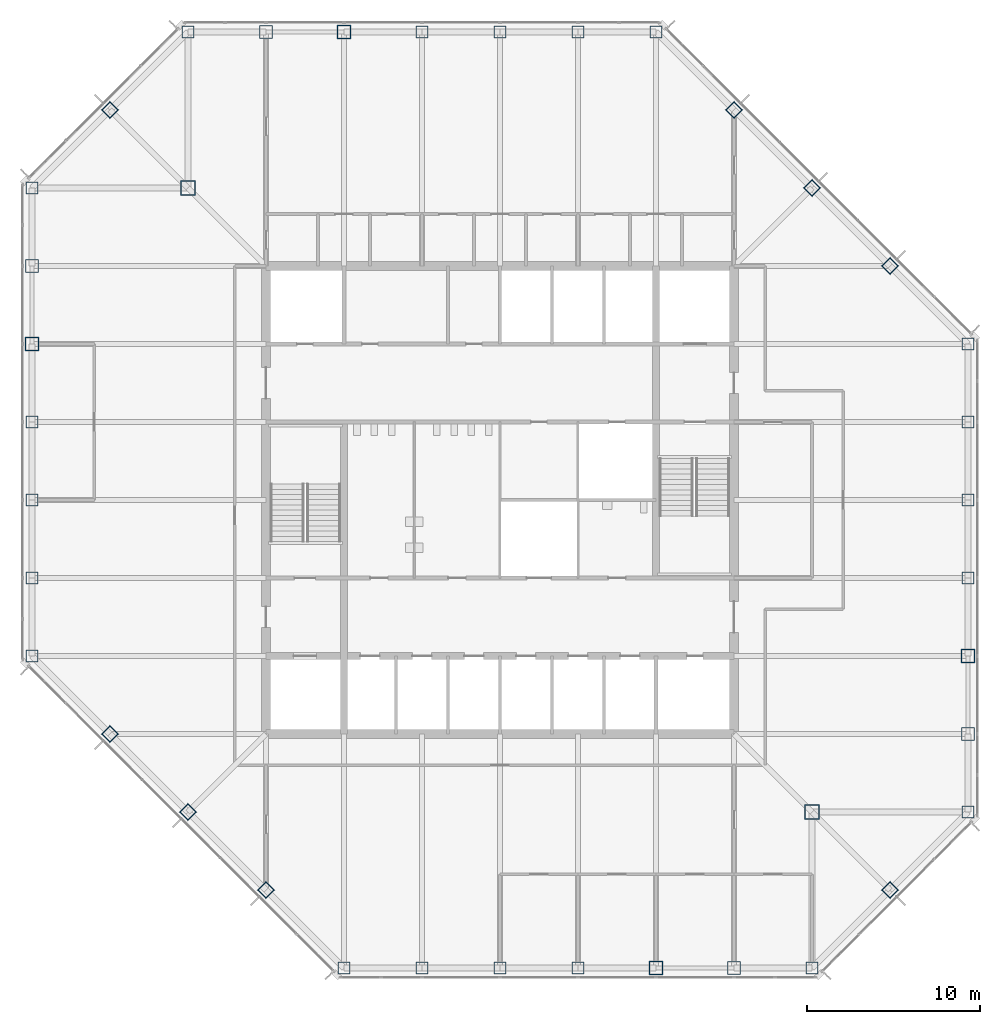
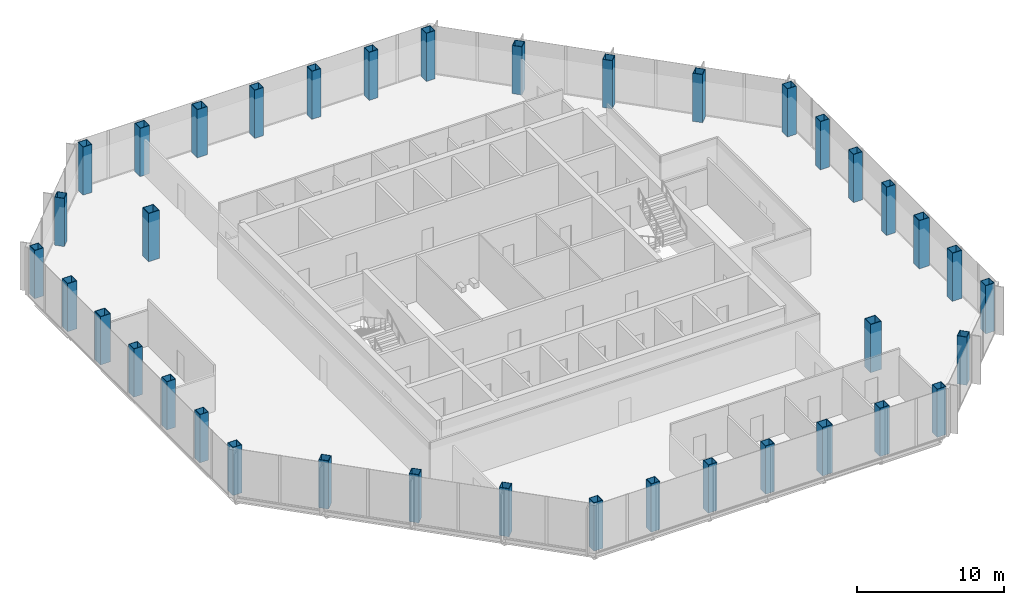
# One storey, part 1 of 12: 38 columns.
"""IFC4 building model written with IfcOpenShell, lengths in metres."""

from ifc_helpers import new_model, si_unit, direction, frame, origin, origin_2d, place, context, subcontext, project, spatial, hollow_rectangle, extrude, material, material_profile, profile_set, type_object, element, save


model = new_model("IFC4")

# Units and contexts
model_context = context("Model", 3, precision=1e-05, world=origin(), true_north=direction((0.0, 1.0)))
body_context = subcontext(model_context, "Body", "Model", "MODEL_VIEW")
ifc_project = project(units=[si_unit("LENGTHUNIT", "METRE"), si_unit("AREAUNIT", "SQUARE_METRE"), si_unit("VOLUMEUNIT", "CUBIC_METRE"), si_unit("PLANEANGLEUNIT", "RADIAN"), si_unit("MASSUNIT", "GRAM", prefix="KILO")], contexts=[model_context])

# Site, building, storey
site_placement = place(None, origin())
site = spatial("IfcSite", under=ifc_project, at=site_placement, CompositionType="ELEMENT")
building_placement = place(site_placement, origin())
building = spatial("IfcBuilding", under=site, at=building_placement, Name="Corais Broadcast Tower", CompositionType="ELEMENT")
storey_placement = place(building_placement, frame((0.0, 0.0, 163.60009765625)))
storey = spatial("IfcBuildingStorey", under=building, at=storey_placement, Name="L37", CompositionType="ELEMENT", Elevation=163.60009765625)

# Columns
ifc_material_1 = material(Name="Steel ASTM A572 Grade 50", Category="steel")
ifc_material_profile_1 = material_profile(ifc_material_1, hollow_rectangle(XDim=0.699951171875, YDim=0.699951171875, WallThickness=0.035888671875, at=origin_2d()), Name="BOX 700x700x36")
ifc_profile_set_1 = profile_set([ifc_material_profile_1], Name="Steel ASTM A572 Grade 50")
column_type_1 = type_object("IfcColumnType", Name="Column BOX 700x700x36", PredefinedType="COLUMN", material=ifc_profile_set_1)
for number, where, z_axis, x_axis, name in (
    (1, (18.0, 0.0, 0.0), (0.0, 0.0, 1.0), (1.0, 0.0, 0.0), "C5 A/7"),
    (2, (22.5, 0.0, 0.0), (0.0, 0.0, 1.0), (1.0, 0.0, 0.0), "C5 A/8"),
    (3, (27.0, 0.0, 0.0), (0.0, 0.0, 1.0), (1.0, 0.0, 0.0), "C5 A/9"),
    (4, (31.5, 0.0, 0.0), (0.0, 0.0, 1.0), (1.0, 0.0, 0.0), "C5 A/10"),
    (5, (45.0, 0.0, 0.0), (0.0, 0.0, 1.0), (1.0, 0.0, 0.0), "C5 A/13"),
    (6, (54.0, 9.0, 0.0), (0.0, 0.0, 1.0), (1.0, 0.0, 0.0), "C5 C/15"),
    (7, (54.0, 22.5, 0.0), (0.0, 0.0, 1.0), (1.0, 0.0, 0.0), "C5 F/15"),
    (8, (54.0, 27.0, 0.0), (0.0, 0.0, 1.0), (1.0, 0.0, 0.0), "C5 G/15"),
    (9, (54.0, 31.5, 0.0), (0.0, 0.0, 1.0), (1.0, 0.0, 0.0), "C5 H/15"),
    (10, (54.0, 36.0, 0.0), (0.0, 0.0, 1.0), (1.0, 0.0, 0.0), "C5 J/15"),
    (11, (36.0, 54.0, 0.0), (0.0, 0.0, 1.0), (1.0, 0.0, 0.0), "C5 N/11"),
    (12, (31.5, 54.0, 0.0), (0.0, 0.0, 1.0), (1.0, 0.0, 0.0), "C5 N/10"),
    (13, (27.0, 54.0, 0.0), (0.0, 0.0, 1.0), (1.0, 0.0, 0.0), "C5 N/9"),
    (14, (22.5, 54.0, 0.0), (0.0, 0.0, 1.0), (1.0, 0.0, 0.0), "C5 N/8"),
    (15, (9.0, 54.0, 0.0), (0.0, 0.0, 1.0), (1.0, 0.0, 0.0), "C5 N/5"),
    (16, (0.0, 45.0, 0.0), (0.0, 0.0, 1.0), (1.0, 0.0, 0.0), "C5 L/3"),
    (17, (0.0, 31.5, 0.0), (0.0, 0.0, 1.0), (1.0, 0.0, 0.0), "C5 H/3"),
    (18, (0.0, 27.0, 0.0), (0.0, 0.0, 1.0), (1.0, 0.0, 0.0), "C5 G/3"),
    (19, (0.0, 22.5, 0.0), (0.0, 0.0, 1.0), (1.0, 0.0, 0.0), "C5 F/3"),
    (20, (0.0, 18.0, 0.0), (0.0, 0.0, 1.0), (1.0, 0.0, 0.0), "C5 E/3"),
    (21, (13.5, 4.5, 0.0), (0.0, 0.0, 1.0), (0.707106781187, 0.707106781187, 0.0), "C5 B/6"),
    (22, (9.0, 9.0, 0.0), (0.0, 0.0, 1.0), (0.707106781187, 0.707106781187, 0.0), "C5 C/5"),
    (23, (4.5, 13.5, 0.0), (0.0, 0.0, 1.0), (0.707106781187, 0.707106781187, 0.0), "C5 D/4"),
    (24, (49.5, 4.5, 0.0), (0.0, 0.0, 1.0), (0.707106781187, 0.707106781187, 0.0), "C5 B/14"),
    (25, (49.5, 40.5, 0.0), (0.0, 0.0, 1.0), (0.707106781187, 0.707106781187, 0.0), "C5 K/14"),
    (26, (45.0, 45.0, 0.0), (0.0, 0.0, 1.0), (0.707106781187, 0.707106781187, 0.0), "C5 L/13"),
    (27, (40.5, 49.5, 0.0), (0.0, 0.0, 1.0), (0.707106781187, 0.707106781187, 0.0), "C5 M/12"),
    (28, (4.5, 49.5, 0.0), (0.0, 0.0, 1.0), (0.707106781187, 0.707106781187, 0.0), "C5 M/4"),
):
    element("IfcColumn", number, at=place(storey_placement, frame(where, z_axis=z_axis, x_axis=x_axis)), inside=storey, type_object=column_type_1, Name=name, PredefinedType="COLUMN", context=body_context, shape_type="SweptSolid", body=[
        extrude(hollow_rectangle(XDim=0.699951171875, YDim=0.699951171875, WallThickness=0.035888671875, at=origin_2d()), origin(), (0.0, 0.0, 1.0), 4.0),
    ])
ifc_material_2 = material(Name="Steel ASTM A572 Grade 50", Category="steel")
ifc_material_profile_2 = material_profile(ifc_material_2, hollow_rectangle(XDim=0.75, YDim=0.75, WallThickness=0.0400390625, at=origin_2d()), Name="BOX 750x750x40")
ifc_profile_set_2 = profile_set([ifc_material_profile_2], Name="Steel ASTM A572 Grade 50")
column_type_2 = type_object("IfcColumnType", Name="Column BOX 750x750x40", PredefinedType="COLUMN", material=ifc_profile_set_2)
for number, where, z_axis, x_axis, name in (
    (29, (40.5, 0.0, 0.0), (0.0, 0.0, 1.0), (1.0, 0.0, 0.0), "C4 A/12"),
    (30, (54.0, 13.5, 0.0), (0.0, 0.0, 1.0), (1.0, 0.0, 0.0), "C4 D/15"),
    (31, (13.5, 54.0, 0.0), (0.0, 0.0, 1.0), (1.0, 0.0, 0.0), "C4 N/6"),
    (32, (0.0, 40.5, 0.0), (0.0, 0.0, 1.0), (1.0, 0.0, 0.0), "C4 K/3"),
):
    element("IfcColumn", number, at=place(storey_placement, frame(where, z_axis=z_axis, x_axis=x_axis)), inside=storey, type_object=column_type_2, Name=name, PredefinedType="COLUMN", context=body_context, shape_type="SweptSolid", body=[
        extrude(hollow_rectangle(XDim=0.75, YDim=0.75, WallThickness=0.0400390625, at=origin_2d()), origin(), (0.0, 0.0, 1.0), 4.0),
    ])
ifc_material_3 = material(Name="Steel ASTM A572 Grade 50", Category="steel")
ifc_material_profile_3 = material_profile(ifc_material_3, hollow_rectangle(XDim=0.800048828125, YDim=0.800048828125, WallThickness=0.044921875, at=origin_2d()), Name="BOX 800x800x45")
ifc_profile_set_3 = profile_set([ifc_material_profile_3], Name="Steel ASTM A572 Grade 50")
column_type_3 = type_object("IfcColumnType", Name="Column BOX 800x800x45", PredefinedType="COLUMN", material=ifc_profile_set_3)
for number, where, z_axis, x_axis, name in (
    (33, (36.0, 0.0, 0.0), (0.0, 0.0, 1.0), (1.0, 0.0, 0.0), "C3 A/11"),
    (34, (54.0, 18.0, 0.0), (0.0, 0.0, 1.0), (1.0, 0.0, 0.0), "C3 E/15"),
    (35, (18.0, 54.0, 0.0), (0.0, 0.0, 1.0), (1.0, 0.0, 0.0), "C3 N/7"),
    (36, (0.0, 36.0, 0.0), (0.0, 0.0, 1.0), (1.0, 0.0, 0.0), "C3 J/3"),
):
    element("IfcColumn", number, at=place(storey_placement, frame(where, z_axis=z_axis, x_axis=x_axis)), inside=storey, type_object=column_type_3, Name=name, PredefinedType="COLUMN", context=body_context, shape_type="SweptSolid", body=[
        extrude(hollow_rectangle(XDim=0.800048828125, YDim=0.800048828125, WallThickness=0.044921875, at=origin_2d()), origin(), (0.0, 0.0, 1.0), 4.0),
    ])
ifc_material_4 = material(Name="Steel ASTM A572 Grade 50", Category="steel")
ifc_material_profile_4 = material_profile(ifc_material_4, hollow_rectangle(XDim=0.85009765625, YDim=0.85009765625, WallThickness=0.050048828125, at=origin_2d()), Name="BOX 850x850x50")
ifc_profile_set_4 = profile_set([ifc_material_profile_4], Name="Steel ASTM A572 Grade 50")
column_type_4 = type_object("IfcColumnType", Name="Column BOX 850x850x50", PredefinedType="COLUMN", material=ifc_profile_set_4)
for number, where, z_axis, x_axis, name in (
    (37, (45.0, 9.0, 0.0), (0.0, 0.0, 1.0), (1.0, 0.0, 0.0), "C1 C/13"),
    (38, (9.0, 45.0, 0.0), (0.0, 0.0, 1.0), (1.0, 0.0, 0.0), "C1 L/5"),
):
    element("IfcColumn", number, at=place(storey_placement, frame(where, z_axis=z_axis, x_axis=x_axis)), inside=storey, type_object=column_type_4, Name=name, PredefinedType="COLUMN", context=body_context, shape_type="SweptSolid", body=[
        extrude(hollow_rectangle(XDim=0.85009765625, YDim=0.85009765625, WallThickness=0.050048828125, at=origin_2d()), origin(), (0.0, 0.0, 1.0), 4.0),
    ])

save(model, "model.ifc")
